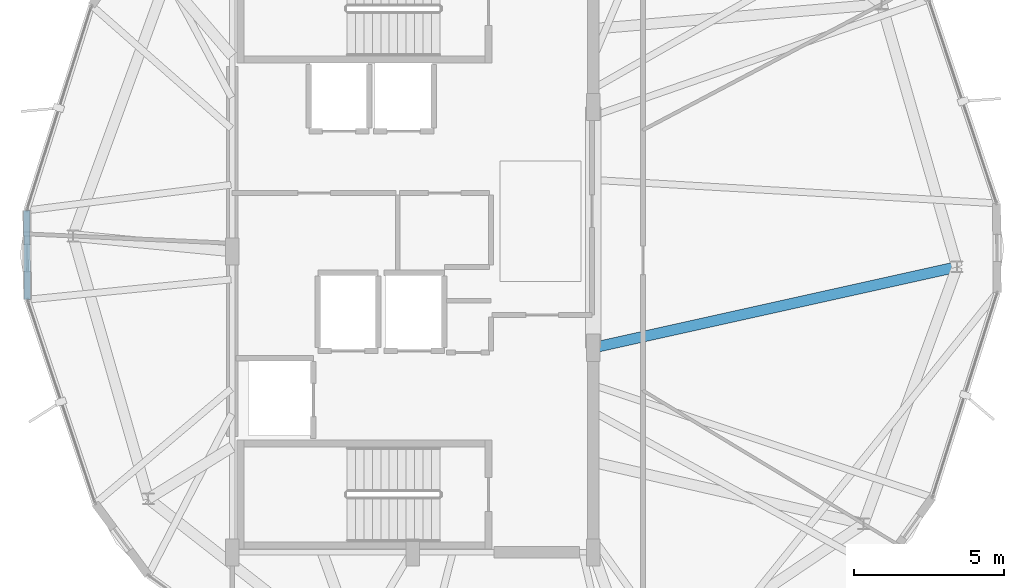
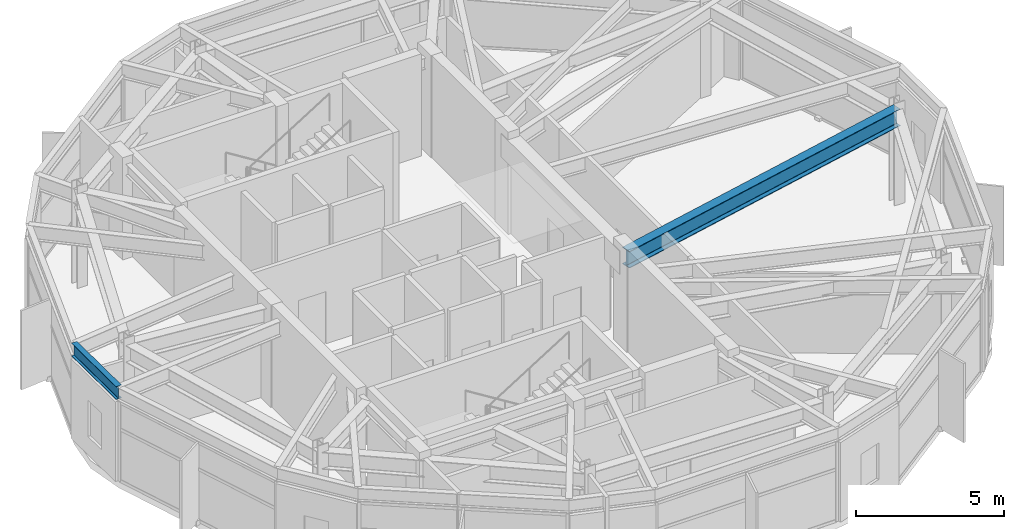
# One storey, part 9 of 22: 2 beams.
"""IFC4 building model written with IfcOpenShell, lengths in metres."""

from ifc_helpers import new_model, si_unit, direction, frame, origin, origin_2d, place, context, subcontext, project, spatial, i_section, extrude, material, material_profile, profile_set, type_object, element, save


model = new_model("IFC4")

# Units and contexts
model_context = context("Model", 3, precision=1e-05, world=origin(), true_north=direction((0.0, 1.0)))
body_context = subcontext(model_context, "Body", "Model", "MODEL_VIEW")
ifc_project = project(units=[si_unit("LENGTHUNIT", "METRE"), si_unit("AREAUNIT", "SQUARE_METRE"), si_unit("VOLUMEUNIT", "CUBIC_METRE"), si_unit("PLANEANGLEUNIT", "RADIAN"), si_unit("MASSUNIT", "GRAM", prefix="KILO")], contexts=[model_context])

# Site, building, storey
site_placement = place(None, origin())
site = spatial("IfcSite", under=ifc_project, at=site_placement, CompositionType="ELEMENT")
building_placement = place(site_placement, origin())
building = spatial("IfcBuilding", under=site, at=building_placement, Name="Soratama Intermodal Tower", CompositionType="ELEMENT")
storey_placement = place(building_placement, frame((0.0, 0.0, 301.449951171875)))
storey = spatial("IfcBuildingStorey", under=building, at=storey_placement, Name="L76", CompositionType="ELEMENT", Elevation=301.449951171875)

# Beams
ifc_material_1 = material(Name="Structural steel ASTM A992 Grade 50", Category="steel")
ifc_material_profile_1 = material_profile(ifc_material_1, i_section(OverallWidth=0.35498046875, OverallDepth=0.695068359375, WebThickness=0.015380859375, FlangeThickness=0.02490234375, FilletRadius=0.01611328125, at=origin_2d()), Name="W27X146")
ifc_profile_set_1 = profile_set([ifc_material_profile_1], Name="Structural steel ASTM A992 Grade 50")
beam_type_1 = type_object("IfcBeamType", Name="BM-RING-W27X146", PredefinedType="BEAM", material=ifc_profile_set_1)
beam_1_placement = place(storey_placement, frame((44.60009765625, 21.800048828125, 3.547607421875), z_axis=(0.976184277327, 0.216942980298, 0.0), x_axis=(-0.216942980298, 0.976184277327, 0.0)))
element("IfcBeam", 1, at=beam_1_placement, inside=storey, type_object=beam_type_1, Name="BM-L76-RAD-10", PredefinedType="BEAM", context=body_context, shape_type="SweptSolid", body=[
    extrude(i_section(OverallWidth=0.35498046875, OverallDepth=0.695068359375, WebThickness=0.015380859375, FlangeThickness=0.02490234375, FilletRadius=0.01611328125, at=origin_2d()), origin(), (0.0, 0.0, 1.0), 12.3857421875),
])
ifc_material_2 = material(Name="Structural steel ASTM A992 Grade 50", Category="steel")
ifc_material_profile_2 = material_profile(ifc_material_2, i_section(OverallWidth=0.2099609375, OverallDepth=0.537109375, WebThickness=0.010986328125, FlangeThickness=0.017333984375, FilletRadius=0.012939453125, at=origin_2d()), Name="W21X68")
ifc_profile_set_2 = profile_set([ifc_material_profile_2], Name="Structural steel ASTM A992 Grade 50")
beam_type_2 = type_object("IfcBeamType", Name="BM-SPN-W21X68", PredefinedType="SPANDREL", material=ifc_profile_set_2)
beam_2_placement = place(storey_placement, frame((25.77099609375, 26.364990234375, 3.62646484375), z_axis=(0.007407813858, -0.99997256177, 0.0), x_axis=(0.99997256177, 0.007407813858, 0.0)))
element("IfcBeam", 2, at=beam_2_placement, inside=storey, type_object=beam_type_2, Name="BS-L76-CRN03", PredefinedType="SPANDREL", context=body_context, shape_type="SweptSolid", body=[
    extrude(i_section(OverallWidth=0.2099609375, OverallDepth=0.537109375, WebThickness=0.010986328125, FlangeThickness=0.017333984375, FilletRadius=0.012939453125, at=origin_2d()), origin(), (0.0, 0.0, 1.0), 2.966064453125),
])

save(model, "model.ifc")
